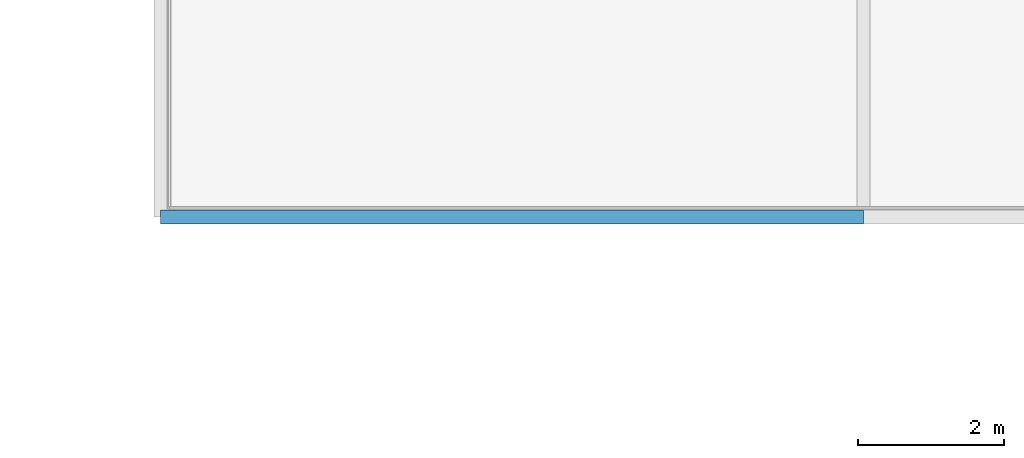
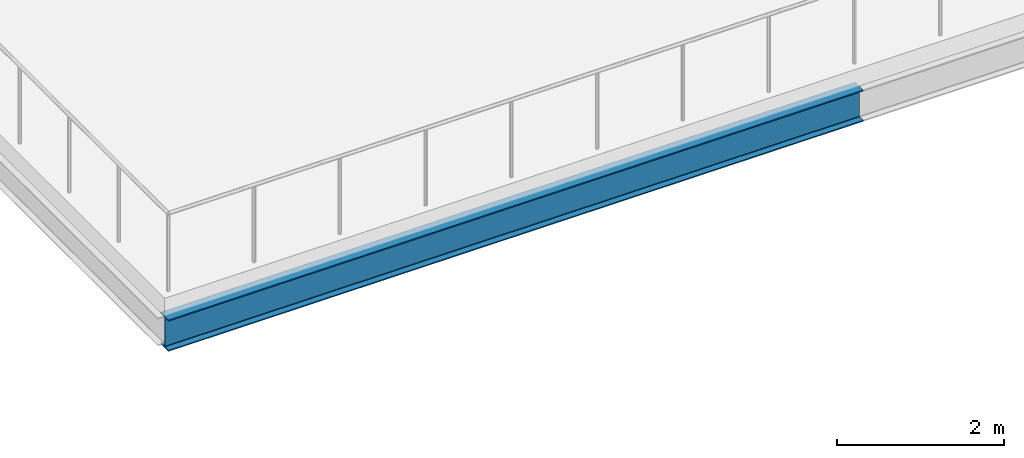
# One storey, part 112 of 185: 1 beam.
"""IFC4 building model written with IfcOpenShell, lengths in metres."""

from ifc_helpers import new_model, si_unit, direction, frame, origin, origin_2d, place, context, subcontext, project, spatial, i_section, extrude, material, material_profile, profile_set, type_object, element, save


model = new_model("IFC4")

# Units and contexts
model_context = context("Model", 3, precision=1e-05, world=origin(), true_north=direction((0.0, 1.0)))
body_context = subcontext(model_context, "Body", "Model", "MODEL_VIEW")
ifc_project = project(units=[si_unit("LENGTHUNIT", "METRE"), si_unit("AREAUNIT", "SQUARE_METRE"), si_unit("VOLUMEUNIT", "CUBIC_METRE"), si_unit("PLANEANGLEUNIT", "RADIAN"), si_unit("MASSUNIT", "GRAM", prefix="KILO")], contexts=[model_context])

# Site, building, storey
site_placement = place(None, origin())
site = spatial("IfcSite", under=ifc_project, at=site_placement, CompositionType="ELEMENT")
building_placement = place(site_placement, origin())
building = spatial("IfcBuilding", under=site, at=building_placement, Name="Vondelvale Polytechnic", CompositionType="ELEMENT")
storey_placement = place(building_placement, frame((0.0, 0.0, 9.60009765625)))
storey = spatial("IfcBuildingStorey", under=building, at=storey_placement, Name="L02", CompositionType="ELEMENT", Elevation=9.60009765625)

# Beam
ifc_material = material(Name="Steel 300PLUS (fy = 300 MPa)", Category="steel")
ifc_material_profile = material_profile(ifc_material, i_section(OverallWidth=0.19091796875, OverallDepth=0.4599609375, WebThickness=0.010009765625, FlangeThickness=0.01611328125, FilletRadius=0.011474609375, at=origin_2d()), Name="460UB82.1")
ifc_profile_set = profile_set([ifc_material_profile], Name="Steel 300PLUS (fy = 300 MPa)")
beam_type = type_object("IfcBeamType", Name="BM-UB460H", PredefinedType="BEAM", material=ifc_profile_set)
beam_placement = place(storey_placement, frame((153.60009765625, 51.0, -0.489990234375), z_axis=(1.0, 0.0, 0.0), x_axis=(0.0, 1.0, 0.0)))
element("IfcBeam", 1, at=beam_placement, inside=storey, type_object=beam_type, Name="L02 B B-12", PredefinedType="BEAM", context=body_context, shape_type="SweptSolid", body=[
    extrude(i_section(OverallWidth=0.19091796875, OverallDepth=0.4599609375, WebThickness=0.010009765625, FlangeThickness=0.01611328125, FilletRadius=0.011474609375, at=origin_2d()), origin(), (0.0, 0.0, 1.0), 9.599853515625),
])

save(model, "model.ifc")
